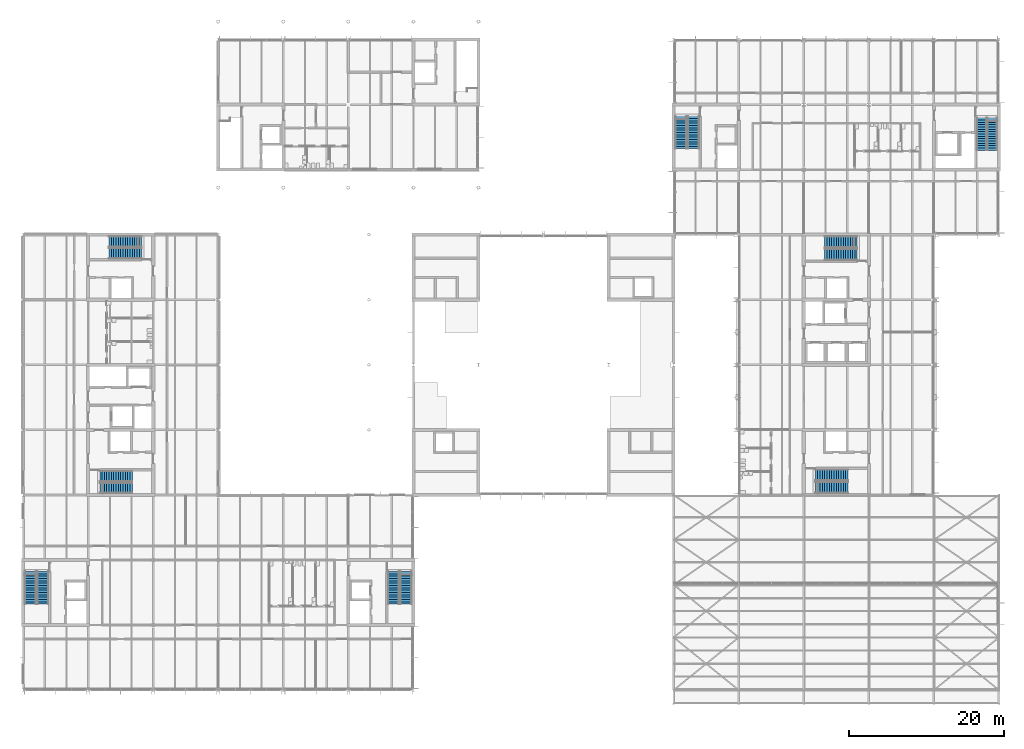
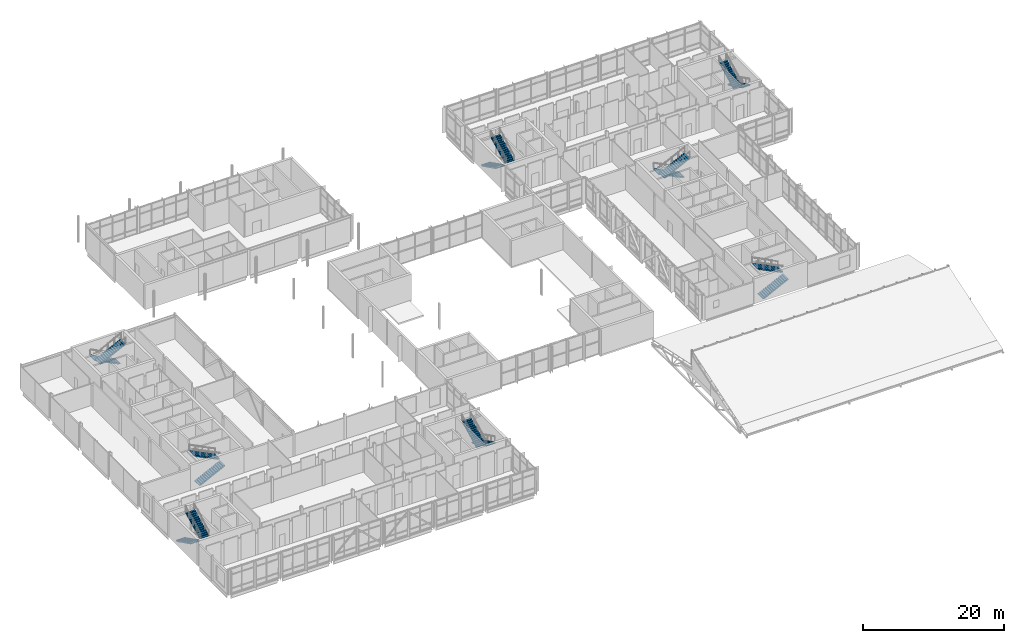
# One storey, part 60 of 89: 16 stair flights, 8 elements without a shape of their own.
"""IFC4 building model written with IfcOpenShell, lengths in metres."""

from ifc_helpers import new_model, si_unit, direction, frame, origin, place, context, subcontext, project, spatial, polyline, outline, extrude, material, type_object, element, aggregate, save


model = new_model("IFC4")

# Units and contexts
model_context = context("Model", 3, precision=1e-05, world=origin(), true_north=direction((0.0, 1.0)))
body_context = subcontext(model_context, "Body", "Model", "MODEL_VIEW")
ifc_project = project(units=[si_unit("LENGTHUNIT", "METRE"), si_unit("AREAUNIT", "SQUARE_METRE"), si_unit("VOLUMEUNIT", "CUBIC_METRE"), si_unit("PLANEANGLEUNIT", "RADIAN"), si_unit("MASSUNIT", "GRAM", prefix="KILO")], contexts=[model_context])

# Site, building, storey
site_placement = place(None, origin())
site = spatial("IfcSite", under=ifc_project, at=site_placement, CompositionType="ELEMENT")
building_placement = place(site_placement, origin())
building = spatial("IfcBuilding", under=site, at=building_placement, Name="Hlaing Beacon Police Headquarters", CompositionType="ELEMENT")
storey_placement = place(building_placement, frame((0.0, 0.0, 9.89990234375)))
storey = spatial("IfcBuildingStorey", under=building, at=storey_placement, Name="L02", CompositionType="ELEMENT", Elevation=9.89990234375)

# Stair, stair flights
ifc_material_1 = material(Name="Concrete C40/50", Category="concrete")
stair_type_1 = type_object("IfcStairType", Name="Half-turn stair 1300 wide, 4500 rise", PredefinedType="HALF_TURN_STAIR", material=ifc_material_1)
stair_1_placement = place(storey_placement, origin())
stair_1 = element("IfcStair", 1, at=stair_1_placement, inside=storey, type_object=stair_type_1, Name="Stair ST-R", PredefinedType="HALF_TURN_STAIR")
ifc_material_2 = material(Name="Concrete C40/50", Category="concrete")
stair_flight_type_1 = type_object("IfcStairFlightType", Name="Stair flight 1300 wide, 15 risers", PredefinedType="STRAIGHT", material=ifc_material_2)
stair_flight_1_placement = place(storey_placement, frame((133.550048828125, 82.300048828125, 0.0), z_axis=(0.0, 0.0, 1.0), x_axis=(0.0, -1.0, 0.0)))
stair_flight_1 = element("IfcStairFlight", 2, at=stair_flight_1_placement, type_object=stair_flight_type_1, Name="ST-R flight 1", NumberOfRisers=15, NumberOfTreads=14, PredefinedType="STRAIGHT", RiserHeight=0.15, TreadLength=0.3, context=body_context, shape_type="SweptSolid", body=[
    extrude(outline(polyline([(0.0, 0.0), (0.0, 0.14990234375), (0.300048828125, 0.14990234375), (0.300048828125, 0.300048828125), (0.60009765625, 0.300048828125), (0.60009765625, 0.449951171875), (0.89990234375, 0.449951171875), (0.89990234375, 0.60009765625), (1.199951171875, 0.60009765625), (1.199951171875, 0.75), (1.5, 0.75), (1.5, 0.89990234375), (1.800048828125, 0.89990234375), (1.800048828125, 1.050048828125), (2.10009765625, 1.050048828125), (2.10009765625, 1.199951171875), (2.39990234375, 1.199951171875), (2.39990234375, 1.35009765625), (2.699951171875, 1.35009765625), (2.699951171875, 1.5), (3.0, 1.5), (3.0, 1.64990234375), (3.300048828125, 1.64990234375), (3.300048828125, 1.800048828125), (3.60009765625, 1.800048828125), (3.60009765625, 1.949951171875), (3.89990234375, 1.949951171875), (3.89990234375, 2.10009765625), (4.199951171875, 2.10009765625), (4.199951171875, 2.25), (4.199951171875, 1.932373046875), (0.335205078125, 0.0), (0.0, 0.0)])), frame((0.0, 0.64990234375, 0.0), z_axis=(0.0, -1.0, 0.0), x_axis=(1.0, 0.0, 0.0)), (0.0, 0.0, 1.0), 1.300048828125),
])
stair_flight_2_placement = place(storey_placement, frame((132.14990234375, 78.10009765625, 2.25), z_axis=(0.0, 0.0, 1.0), x_axis=(0.0, 1.0, 0.0)))
stair_flight_2 = element("IfcStairFlight", 3, at=stair_flight_2_placement, type_object=stair_flight_type_1, Name="ST-R flight 2", NumberOfRisers=15, NumberOfTreads=14, PredefinedType="STRAIGHT", RiserHeight=0.15, TreadLength=0.3, context=body_context, shape_type="SweptSolid", body=[
    extrude(outline(polyline([(0.0, 0.0), (0.0, 0.14990234375), (0.300048828125, 0.14990234375), (0.300048828125, 0.300048828125), (0.60009765625, 0.300048828125), (0.60009765625, 0.449951171875), (0.89990234375, 0.449951171875), (0.89990234375, 0.60009765625), (1.199951171875, 0.60009765625), (1.199951171875, 0.75), (1.5, 0.75), (1.5, 0.89990234375), (1.800048828125, 0.89990234375), (1.800048828125, 1.050048828125), (2.10009765625, 1.050048828125), (2.10009765625, 1.199951171875), (2.39990234375, 1.199951171875), (2.39990234375, 1.35009765625), (2.699951171875, 1.35009765625), (2.699951171875, 1.5), (3.0, 1.5), (3.0, 1.64990234375), (3.300048828125, 1.64990234375), (3.300048828125, 1.800048828125), (3.60009765625, 1.800048828125), (3.60009765625, 1.949951171875), (3.89990234375, 1.949951171875), (3.89990234375, 2.10009765625), (4.199951171875, 2.10009765625), (4.199951171875, 2.25), (4.199951171875, 1.932373046875), (0.335205078125, 0.0), (0.0, 0.0)])), frame((0.0, 0.64990234375, 0.0), z_axis=(0.0, -1.0, 0.0), x_axis=(1.0, 0.0, 0.0)), (0.0, 0.0, 1.0), 1.300048828125),
])
aggregate(stair_1, [stair_flight_1, stair_flight_2])

ifc_material_3 = material(Name="Concrete C40/50", Category="concrete")
stair_type_2 = type_object("IfcStairType", Name="Half-turn stair 1400 wide, 4500 rise", PredefinedType="HALF_TURN_STAIR", material=ifc_material_3)
stair_2_placement = place(storey_placement, origin())
stair_2 = element("IfcStair", 4, at=stair_2_placement, inside=storey, type_object=stair_type_2, Name="Stair ST-P", PredefinedType="HALF_TURN_STAIR")
ifc_material_4 = material(Name="Concrete C40/50", Category="concrete")
stair_flight_type_2 = type_object("IfcStairFlightType", Name="Stair flight 1400 wide, 15 risers", PredefinedType="STRAIGHT", material=ifc_material_4)
stair_flight_3_placement = place(storey_placement, frame((23.699951171875, 66.300048828125, 0.0), z_axis=(0.0, 0.0, 1.0), x_axis=(-1.0, 0.0, 0.0)))
stair_flight_3 = element("IfcStairFlight", 5, at=stair_flight_3_placement, type_object=stair_flight_type_2, Name="ST-P flight 1", NumberOfRisers=15, NumberOfTreads=14, PredefinedType="STRAIGHT", RiserHeight=0.15, TreadLength=0.3, context=body_context, shape_type="SweptSolid", body=[
    extrude(outline(polyline([(0.0, 0.0), (0.0, 0.14990234375), (0.300048828125, 0.14990234375), (0.300048828125, 0.300048828125), (0.60009765625, 0.300048828125), (0.60009765625, 0.449951171875), (0.89990234375, 0.449951171875), (0.89990234375, 0.60009765625), (1.199951171875, 0.60009765625), (1.199951171875, 0.75), (1.5, 0.75), (1.5, 0.89990234375), (1.800048828125, 0.89990234375), (1.800048828125, 1.050048828125), (2.10009765625, 1.050048828125), (2.10009765625, 1.199951171875), (2.39990234375, 1.199951171875), (2.39990234375, 1.35009765625), (2.699951171875, 1.35009765625), (2.699951171875, 1.5), (3.0, 1.5), (3.0, 1.64990234375), (3.300048828125, 1.64990234375), (3.300048828125, 1.800048828125), (3.60009765625, 1.800048828125), (3.60009765625, 1.949951171875), (3.89990234375, 1.949951171875), (3.89990234375, 2.10009765625), (4.199951171875, 2.10009765625), (4.199951171875, 2.25), (4.199951171875, 1.932373046875), (0.335205078125, 0.0), (0.0, 0.0)])), frame((0.0, 0.699951171875, 0.0), z_axis=(0.0, -1.0, 0.0), x_axis=(1.0, 0.0, 0.0)), (0.0, 0.0, 1.0), 1.39990234375),
])
stair_flight_4_placement = place(storey_placement, frame((19.5, 64.800048828125, 2.25), z_axis=(0.0, 0.0, 1.0), x_axis=(1.0, 0.0, 0.0)))
stair_flight_4 = element("IfcStairFlight", 6, at=stair_flight_4_placement, type_object=stair_flight_type_2, Name="ST-P flight 2", NumberOfRisers=15, NumberOfTreads=14, PredefinedType="STRAIGHT", RiserHeight=0.15, TreadLength=0.3, context=body_context, shape_type="SweptSolid", body=[
    extrude(outline(polyline([(0.0, 0.0), (0.0, 0.14990234375), (0.300048828125, 0.14990234375), (0.300048828125, 0.300048828125), (0.60009765625, 0.300048828125), (0.60009765625, 0.449951171875), (0.89990234375, 0.449951171875), (0.89990234375, 0.60009765625), (1.199951171875, 0.60009765625), (1.199951171875, 0.75), (1.5, 0.75), (1.5, 0.89990234375), (1.800048828125, 0.89990234375), (1.800048828125, 1.050048828125), (2.10009765625, 1.050048828125), (2.10009765625, 1.199951171875), (2.39990234375, 1.199951171875), (2.39990234375, 1.35009765625), (2.699951171875, 1.35009765625), (2.699951171875, 1.5), (3.0, 1.5), (3.0, 1.64990234375), (3.300048828125, 1.64990234375), (3.300048828125, 1.800048828125), (3.60009765625, 1.800048828125), (3.60009765625, 1.949951171875), (3.89990234375, 1.949951171875), (3.89990234375, 2.10009765625), (4.199951171875, 2.10009765625), (4.199951171875, 2.25), (4.199951171875, 1.932373046875), (0.335205078125, 0.0), (0.0, 0.0)])), frame((0.0, 0.699951171875, 0.0), z_axis=(0.0, -1.0, 0.0), x_axis=(1.0, 0.0, 0.0)), (0.0, 0.0, 1.0), 1.39990234375),
])
aggregate(stair_2, [stair_flight_3, stair_flight_4])

stair_3_placement = place(storey_placement, origin())
stair_3 = element("IfcStair", 7, at=stair_3_placement, inside=storey, type_object=stair_type_2, Name="Stair ST-N", PredefinedType="HALF_TURN_STAIR")
stair_flight_5_placement = place(storey_placement, frame((18.300048828125, 34.5, 0.0), z_axis=(0.0, 0.0, 1.0), x_axis=(1.0, 0.0, 0.0)))
stair_flight_5 = element("IfcStairFlight", 8, at=stair_flight_5_placement, type_object=stair_flight_type_2, Name="ST-N flight 1", NumberOfRisers=15, NumberOfTreads=14, PredefinedType="STRAIGHT", RiserHeight=0.15, TreadLength=0.3, context=body_context, shape_type="SweptSolid", body=[
    extrude(outline(polyline([(0.0, 0.0), (0.0, 0.14990234375), (0.300048828125, 0.14990234375), (0.300048828125, 0.300048828125), (0.60009765625, 0.300048828125), (0.60009765625, 0.449951171875), (0.89990234375, 0.449951171875), (0.89990234375, 0.60009765625), (1.199951171875, 0.60009765625), (1.199951171875, 0.75), (1.5, 0.75), (1.5, 0.89990234375), (1.800048828125, 0.89990234375), (1.800048828125, 1.050048828125), (2.10009765625, 1.050048828125), (2.10009765625, 1.199951171875), (2.39990234375, 1.199951171875), (2.39990234375, 1.35009765625), (2.699951171875, 1.35009765625), (2.699951171875, 1.5), (3.0, 1.5), (3.0, 1.64990234375), (3.300048828125, 1.64990234375), (3.300048828125, 1.800048828125), (3.60009765625, 1.800048828125), (3.60009765625, 1.949951171875), (3.89990234375, 1.949951171875), (3.89990234375, 2.10009765625), (4.199951171875, 2.10009765625), (4.199951171875, 2.25), (4.199951171875, 1.932373046875), (0.335205078125, 0.0), (0.0, 0.0)])), frame((0.0, 0.699951171875, 0.0), z_axis=(0.0, -1.0, 0.0), x_axis=(1.0, 0.0, 0.0)), (0.0, 0.0, 1.0), 1.39990234375),
])
stair_flight_6_placement = place(storey_placement, frame((22.5, 36.0, 2.25), z_axis=(0.0, 0.0, 1.0), x_axis=(-1.0, 0.0, 0.0)))
stair_flight_6 = element("IfcStairFlight", 9, at=stair_flight_6_placement, type_object=stair_flight_type_2, Name="ST-N flight 2", NumberOfRisers=15, NumberOfTreads=14, PredefinedType="STRAIGHT", RiserHeight=0.15, TreadLength=0.3, context=body_context, shape_type="SweptSolid", body=[
    extrude(outline(polyline([(0.0, 0.0), (0.0, 0.14990234375), (0.300048828125, 0.14990234375), (0.300048828125, 0.300048828125), (0.60009765625, 0.300048828125), (0.60009765625, 0.449951171875), (0.89990234375, 0.449951171875), (0.89990234375, 0.60009765625), (1.199951171875, 0.60009765625), (1.199951171875, 0.75), (1.5, 0.75), (1.5, 0.89990234375), (1.800048828125, 0.89990234375), (1.800048828125, 1.050048828125), (2.10009765625, 1.050048828125), (2.10009765625, 1.199951171875), (2.39990234375, 1.199951171875), (2.39990234375, 1.35009765625), (2.699951171875, 1.35009765625), (2.699951171875, 1.5), (3.0, 1.5), (3.0, 1.64990234375), (3.300048828125, 1.64990234375), (3.300048828125, 1.800048828125), (3.60009765625, 1.800048828125), (3.60009765625, 1.949951171875), (3.89990234375, 1.949951171875), (3.89990234375, 2.10009765625), (4.199951171875, 2.10009765625), (4.199951171875, 2.25), (4.199951171875, 1.932373046875), (0.335205078125, 0.0), (0.0, 0.0)])), frame((0.0, 0.699951171875, 0.0), z_axis=(0.0, -1.0, 0.0), x_axis=(1.0, 0.0, 0.0)), (0.0, 0.0, 1.0), 1.39990234375),
])
aggregate(stair_3, [stair_flight_5, stair_flight_6])

ifc_material_5 = material(Name="Concrete C40/50", Category="concrete")
stair_type_3 = type_object("IfcStairType", Name="Half-turn stair 1500 wide, 4500 rise", PredefinedType="HALF_TURN_STAIR", material=ifc_material_5)
stair_4_placement = place(storey_placement, origin())
stair_4 = element("IfcStair", 10, at=stair_4_placement, inside=storey, type_object=stair_type_3, Name="Stair ST-J", PredefinedType="HALF_TURN_STAIR")
ifc_material_6 = material(Name="Concrete C40/50", Category="concrete")
stair_flight_type_3 = type_object("IfcStairFlightType", Name="Stair flight 1500 wide, 15 risers", PredefinedType="STRAIGHT", material=ifc_material_6)
stair_flight_7_placement = place(storey_placement, frame((9.35009765625, 23.699951171875, 0.0), z_axis=(0.0, 0.0, 1.0), x_axis=(0.0, -1.0, 0.0)))
stair_flight_7 = element("IfcStairFlight", 11, at=stair_flight_7_placement, type_object=stair_flight_type_3, Name="ST-J flight 1", NumberOfRisers=15, NumberOfTreads=14, PredefinedType="STRAIGHT", RiserHeight=0.15, TreadLength=0.3, context=body_context, shape_type="SweptSolid", body=[
    extrude(outline(polyline([(0.0, 0.0), (0.0, 0.14990234375), (0.300048828125, 0.14990234375), (0.300048828125, 0.300048828125), (0.60009765625, 0.300048828125), (0.60009765625, 0.449951171875), (0.89990234375, 0.449951171875), (0.89990234375, 0.60009765625), (1.199951171875, 0.60009765625), (1.199951171875, 0.75), (1.5, 0.75), (1.5, 0.89990234375), (1.800048828125, 0.89990234375), (1.800048828125, 1.050048828125), (2.10009765625, 1.050048828125), (2.10009765625, 1.199951171875), (2.39990234375, 1.199951171875), (2.39990234375, 1.35009765625), (2.699951171875, 1.35009765625), (2.699951171875, 1.5), (3.0, 1.5), (3.0, 1.64990234375), (3.300048828125, 1.64990234375), (3.300048828125, 1.800048828125), (3.60009765625, 1.800048828125), (3.60009765625, 1.949951171875), (3.89990234375, 1.949951171875), (3.89990234375, 2.10009765625), (4.199951171875, 2.10009765625), (4.199951171875, 2.25), (4.199951171875, 1.932373046875), (0.335205078125, 0.0), (0.0, 0.0)])), frame((0.0, 0.75, 0.0), z_axis=(0.0, -1.0, 0.0), x_axis=(1.0, 0.0, 0.0)), (0.0, 0.0, 1.0), 1.5),
])
stair_flight_8_placement = place(storey_placement, frame((10.949951171875, 19.5, 2.25), z_axis=(0.0, 0.0, 1.0), x_axis=(0.0, 1.0, 0.0)))
stair_flight_8 = element("IfcStairFlight", 12, at=stair_flight_8_placement, type_object=stair_flight_type_3, Name="ST-J flight 2", NumberOfRisers=15, NumberOfTreads=14, PredefinedType="STRAIGHT", RiserHeight=0.15, TreadLength=0.3, context=body_context, shape_type="SweptSolid", body=[
    extrude(outline(polyline([(0.0, 0.0), (0.0, 0.14990234375), (0.300048828125, 0.14990234375), (0.300048828125, 0.300048828125), (0.60009765625, 0.300048828125), (0.60009765625, 0.449951171875), (0.89990234375, 0.449951171875), (0.89990234375, 0.60009765625), (1.199951171875, 0.60009765625), (1.199951171875, 0.75), (1.5, 0.75), (1.5, 0.89990234375), (1.800048828125, 0.89990234375), (1.800048828125, 1.050048828125), (2.10009765625, 1.050048828125), (2.10009765625, 1.199951171875), (2.39990234375, 1.199951171875), (2.39990234375, 1.35009765625), (2.699951171875, 1.35009765625), (2.699951171875, 1.5), (3.0, 1.5), (3.0, 1.64990234375), (3.300048828125, 1.64990234375), (3.300048828125, 1.800048828125), (3.60009765625, 1.800048828125), (3.60009765625, 1.949951171875), (3.89990234375, 1.949951171875), (3.89990234375, 2.10009765625), (4.199951171875, 2.10009765625), (4.199951171875, 2.25), (4.199951171875, 1.932373046875), (0.335205078125, 0.0), (0.0, 0.0)])), frame((0.0, 0.75, 0.0), z_axis=(0.0, -1.0, 0.0), x_axis=(1.0, 0.0, 0.0)), (0.0, 0.0, 1.0), 1.5),
])
aggregate(stair_4, [stair_flight_7, stair_flight_8])

stair_5_placement = place(storey_placement, origin())
stair_5 = element("IfcStair", 13, at=stair_5_placement, inside=storey, type_object=stair_type_3, Name="Stair ST-K", PredefinedType="HALF_TURN_STAIR")
stair_flight_9_placement = place(storey_placement, frame((57.85009765625, 23.699951171875, 0.0), z_axis=(0.0, 0.0, 1.0), x_axis=(0.0, -1.0, 0.0)))
stair_flight_9 = element("IfcStairFlight", 14, at=stair_flight_9_placement, type_object=stair_flight_type_3, Name="ST-K flight 1", NumberOfRisers=15, NumberOfTreads=14, PredefinedType="STRAIGHT", RiserHeight=0.15, TreadLength=0.3, context=body_context, shape_type="SweptSolid", body=[
    extrude(outline(polyline([(0.0, 0.0), (0.0, 0.14990234375), (0.300048828125, 0.14990234375), (0.300048828125, 0.300048828125), (0.60009765625, 0.300048828125), (0.60009765625, 0.449951171875), (0.89990234375, 0.449951171875), (0.89990234375, 0.60009765625), (1.199951171875, 0.60009765625), (1.199951171875, 0.75), (1.5, 0.75), (1.5, 0.89990234375), (1.800048828125, 0.89990234375), (1.800048828125, 1.050048828125), (2.10009765625, 1.050048828125), (2.10009765625, 1.199951171875), (2.39990234375, 1.199951171875), (2.39990234375, 1.35009765625), (2.699951171875, 1.35009765625), (2.699951171875, 1.5), (3.0, 1.5), (3.0, 1.64990234375), (3.300048828125, 1.64990234375), (3.300048828125, 1.800048828125), (3.60009765625, 1.800048828125), (3.60009765625, 1.949951171875), (3.89990234375, 1.949951171875), (3.89990234375, 2.10009765625), (4.199951171875, 2.10009765625), (4.199951171875, 2.25), (4.199951171875, 1.932373046875), (0.335205078125, 0.0), (0.0, 0.0)])), frame((0.0, 0.75, 0.0), z_axis=(0.0, -1.0, 0.0), x_axis=(1.0, 0.0, 0.0)), (0.0, 0.0, 1.0), 1.5),
])
stair_flight_10_placement = place(storey_placement, frame((56.25, 19.5, 2.25), z_axis=(0.0, 0.0, 1.0), x_axis=(0.0, 1.0, 0.0)))
stair_flight_10 = element("IfcStairFlight", 15, at=stair_flight_10_placement, type_object=stair_flight_type_3, Name="ST-K flight 2", NumberOfRisers=15, NumberOfTreads=14, PredefinedType="STRAIGHT", RiserHeight=0.15, TreadLength=0.3, context=body_context, shape_type="SweptSolid", body=[
    extrude(outline(polyline([(0.0, 0.0), (0.0, 0.14990234375), (0.300048828125, 0.14990234375), (0.300048828125, 0.300048828125), (0.60009765625, 0.300048828125), (0.60009765625, 0.449951171875), (0.89990234375, 0.449951171875), (0.89990234375, 0.60009765625), (1.199951171875, 0.60009765625), (1.199951171875, 0.75), (1.5, 0.75), (1.5, 0.89990234375), (1.800048828125, 0.89990234375), (1.800048828125, 1.050048828125), (2.10009765625, 1.050048828125), (2.10009765625, 1.199951171875), (2.39990234375, 1.199951171875), (2.39990234375, 1.35009765625), (2.699951171875, 1.35009765625), (2.699951171875, 1.5), (3.0, 1.5), (3.0, 1.64990234375), (3.300048828125, 1.64990234375), (3.300048828125, 1.800048828125), (3.60009765625, 1.800048828125), (3.60009765625, 1.949951171875), (3.89990234375, 1.949951171875), (3.89990234375, 2.10009765625), (4.199951171875, 2.10009765625), (4.199951171875, 2.25), (4.199951171875, 1.932373046875), (0.335205078125, 0.0), (0.0, 0.0)])), frame((0.0, 0.75, 0.0), z_axis=(0.0, -1.0, 0.0), x_axis=(1.0, 0.0, 0.0)), (0.0, 0.0, 1.0), 1.5),
])
aggregate(stair_5, [stair_flight_9, stair_flight_10])

stair_6_placement = place(storey_placement, origin())
stair_6 = element("IfcStair", 16, at=stair_6_placement, inside=storey, type_object=stair_type_3, Name="Stair ST-M", PredefinedType="HALF_TURN_STAIR")
stair_flight_11_placement = place(storey_placement, frame((116.10009765625, 66.25, 0.0), z_axis=(0.0, 0.0, 1.0), x_axis=(-1.0, 0.0, 0.0)))
stair_flight_11 = element("IfcStairFlight", 17, at=stair_flight_11_placement, type_object=stair_flight_type_3, Name="ST-M flight 1", NumberOfRisers=15, NumberOfTreads=14, PredefinedType="STRAIGHT", RiserHeight=0.15, TreadLength=0.3, context=body_context, shape_type="SweptSolid", body=[
    extrude(outline(polyline([(0.0, 0.0), (0.0, 0.14990234375), (0.300048828125, 0.14990234375), (0.300048828125, 0.300048828125), (0.60009765625, 0.300048828125), (0.60009765625, 0.449951171875), (0.89990234375, 0.449951171875), (0.89990234375, 0.60009765625), (1.199951171875, 0.60009765625), (1.199951171875, 0.75), (1.5, 0.75), (1.5, 0.89990234375), (1.800048828125, 0.89990234375), (1.800048828125, 1.050048828125), (2.10009765625, 1.050048828125), (2.10009765625, 1.199951171875), (2.39990234375, 1.199951171875), (2.39990234375, 1.35009765625), (2.699951171875, 1.35009765625), (2.699951171875, 1.5), (3.0, 1.5), (3.0, 1.64990234375), (3.300048828125, 1.64990234375), (3.300048828125, 1.800048828125), (3.60009765625, 1.800048828125), (3.60009765625, 1.949951171875), (3.89990234375, 1.949951171875), (3.89990234375, 2.10009765625), (4.199951171875, 2.10009765625), (4.199951171875, 2.25), (4.199951171875, 1.932373046875), (0.335205078125, 0.0), (0.0, 0.0)])), frame((0.0, 0.75, 0.0), z_axis=(0.0, -1.0, 0.0), x_axis=(1.0, 0.0, 0.0)), (0.0, 0.0, 1.0), 1.5),
])
stair_flight_12_placement = place(storey_placement, frame((111.89990234375, 64.64990234375, 2.25), z_axis=(0.0, 0.0, 1.0), x_axis=(1.0, 0.0, 0.0)))
stair_flight_12 = element("IfcStairFlight", 18, at=stair_flight_12_placement, type_object=stair_flight_type_3, Name="ST-M flight 2", NumberOfRisers=15, NumberOfTreads=14, PredefinedType="STRAIGHT", RiserHeight=0.15, TreadLength=0.3, context=body_context, shape_type="SweptSolid", body=[
    extrude(outline(polyline([(0.0, 0.0), (0.0, 0.14990234375), (0.300048828125, 0.14990234375), (0.300048828125, 0.300048828125), (0.60009765625, 0.300048828125), (0.60009765625, 0.449951171875), (0.89990234375, 0.449951171875), (0.89990234375, 0.60009765625), (1.199951171875, 0.60009765625), (1.199951171875, 0.75), (1.5, 0.75), (1.5, 0.89990234375), (1.800048828125, 0.89990234375), (1.800048828125, 1.050048828125), (2.10009765625, 1.050048828125), (2.10009765625, 1.199951171875), (2.39990234375, 1.199951171875), (2.39990234375, 1.35009765625), (2.699951171875, 1.35009765625), (2.699951171875, 1.5), (3.0, 1.5), (3.0, 1.64990234375), (3.300048828125, 1.64990234375), (3.300048828125, 1.800048828125), (3.60009765625, 1.800048828125), (3.60009765625, 1.949951171875), (3.89990234375, 1.949951171875), (3.89990234375, 2.10009765625), (4.199951171875, 2.10009765625), (4.199951171875, 2.25), (4.199951171875, 1.932373046875), (0.335205078125, 0.0), (0.0, 0.0)])), frame((0.0, 0.75, 0.0), z_axis=(0.0, -1.0, 0.0), x_axis=(1.0, 0.0, 0.0)), (0.0, 0.0, 1.0), 1.5),
])
aggregate(stair_6, [stair_flight_11, stair_flight_12])

stair_7_placement = place(storey_placement, origin())
stair_7 = element("IfcStair", 19, at=stair_7_placement, inside=storey, type_object=stair_type_3, Name="Stair ST-L", PredefinedType="HALF_TURN_STAIR")
stair_flight_13_placement = place(storey_placement, frame((110.699951171875, 34.550048828125, 0.0), z_axis=(0.0, 0.0, 1.0), x_axis=(1.0, 0.0, 0.0)))
stair_flight_13 = element("IfcStairFlight", 20, at=stair_flight_13_placement, type_object=stair_flight_type_3, Name="ST-L flight 1", NumberOfRisers=15, NumberOfTreads=14, PredefinedType="STRAIGHT", RiserHeight=0.15, TreadLength=0.3, context=body_context, shape_type="SweptSolid", body=[
    extrude(outline(polyline([(0.0, 0.0), (0.0, 0.14990234375), (0.300048828125, 0.14990234375), (0.300048828125, 0.300048828125), (0.60009765625, 0.300048828125), (0.60009765625, 0.449951171875), (0.89990234375, 0.449951171875), (0.89990234375, 0.60009765625), (1.199951171875, 0.60009765625), (1.199951171875, 0.75), (1.5, 0.75), (1.5, 0.89990234375), (1.800048828125, 0.89990234375), (1.800048828125, 1.050048828125), (2.10009765625, 1.050048828125), (2.10009765625, 1.199951171875), (2.39990234375, 1.199951171875), (2.39990234375, 1.35009765625), (2.699951171875, 1.35009765625), (2.699951171875, 1.5), (3.0, 1.5), (3.0, 1.64990234375), (3.300048828125, 1.64990234375), (3.300048828125, 1.800048828125), (3.60009765625, 1.800048828125), (3.60009765625, 1.949951171875), (3.89990234375, 1.949951171875), (3.89990234375, 2.10009765625), (4.199951171875, 2.10009765625), (4.199951171875, 2.25), (4.199951171875, 1.932373046875), (0.335205078125, 0.0), (0.0, 0.0)])), frame((0.0, 0.75, 0.0), z_axis=(0.0, -1.0, 0.0), x_axis=(1.0, 0.0, 0.0)), (0.0, 0.0, 1.0), 1.5),
])
stair_flight_14_placement = place(storey_placement, frame((114.89990234375, 36.14990234375, 2.25), z_axis=(0.0, 0.0, 1.0), x_axis=(-1.0, 0.0, 0.0)))
stair_flight_14 = element("IfcStairFlight", 21, at=stair_flight_14_placement, type_object=stair_flight_type_3, Name="ST-L flight 2", NumberOfRisers=15, NumberOfTreads=14, PredefinedType="STRAIGHT", RiserHeight=0.15, TreadLength=0.3, context=body_context, shape_type="SweptSolid", body=[
    extrude(outline(polyline([(0.0, 0.0), (0.0, 0.14990234375), (0.300048828125, 0.14990234375), (0.300048828125, 0.300048828125), (0.60009765625, 0.300048828125), (0.60009765625, 0.449951171875), (0.89990234375, 0.449951171875), (0.89990234375, 0.60009765625), (1.199951171875, 0.60009765625), (1.199951171875, 0.75), (1.5, 0.75), (1.5, 0.89990234375), (1.800048828125, 0.89990234375), (1.800048828125, 1.050048828125), (2.10009765625, 1.050048828125), (2.10009765625, 1.199951171875), (2.39990234375, 1.199951171875), (2.39990234375, 1.35009765625), (2.699951171875, 1.35009765625), (2.699951171875, 1.5), (3.0, 1.5), (3.0, 1.64990234375), (3.300048828125, 1.64990234375), (3.300048828125, 1.800048828125), (3.60009765625, 1.800048828125), (3.60009765625, 1.949951171875), (3.89990234375, 1.949951171875), (3.89990234375, 2.10009765625), (4.199951171875, 2.10009765625), (4.199951171875, 2.25), (4.199951171875, 1.932373046875), (0.335205078125, 0.0), (0.0, 0.0)])), frame((0.0, 0.75, 0.0), z_axis=(0.0, -1.0, 0.0), x_axis=(1.0, 0.0, 0.0)), (0.0, 0.0, 1.0), 1.5),
])
aggregate(stair_7, [stair_flight_13, stair_flight_14])

stair_8_placement = place(storey_placement, origin())
stair_8 = element("IfcStair", 22, at=stair_8_placement, inside=storey, type_object=stair_type_3, Name="Stair ST-Q", PredefinedType="HALF_TURN_STAIR")
stair_flight_15_placement = place(storey_placement, frame((93.35009765625, 82.5, 0.0), z_axis=(0.0, 0.0, 1.0), x_axis=(0.0, -1.0, 0.0)))
stair_flight_15 = element("IfcStairFlight", 23, at=stair_flight_15_placement, type_object=stair_flight_type_3, Name="ST-Q flight 1", NumberOfRisers=15, NumberOfTreads=14, PredefinedType="STRAIGHT", RiserHeight=0.15, TreadLength=0.3, context=body_context, shape_type="SweptSolid", body=[
    extrude(outline(polyline([(0.0, 0.0), (0.0, 0.14990234375), (0.300048828125, 0.14990234375), (0.300048828125, 0.300048828125), (0.60009765625, 0.300048828125), (0.60009765625, 0.449951171875), (0.89990234375, 0.449951171875), (0.89990234375, 0.60009765625), (1.199951171875, 0.60009765625), (1.199951171875, 0.75), (1.5, 0.75), (1.5, 0.89990234375), (1.800048828125, 0.89990234375), (1.800048828125, 1.050048828125), (2.10009765625, 1.050048828125), (2.10009765625, 1.199951171875), (2.39990234375, 1.199951171875), (2.39990234375, 1.35009765625), (2.699951171875, 1.35009765625), (2.699951171875, 1.5), (3.0, 1.5), (3.0, 1.64990234375), (3.300048828125, 1.64990234375), (3.300048828125, 1.800048828125), (3.60009765625, 1.800048828125), (3.60009765625, 1.949951171875), (3.89990234375, 1.949951171875), (3.89990234375, 2.10009765625), (4.199951171875, 2.10009765625), (4.199951171875, 2.25), (4.199951171875, 1.932373046875), (0.335205078125, 0.0), (0.0, 0.0)])), frame((0.0, 0.75, 0.0), z_axis=(0.0, -1.0, 0.0), x_axis=(1.0, 0.0, 0.0)), (0.0, 0.0, 1.0), 1.5),
])
stair_flight_16_placement = place(storey_placement, frame((94.949951171875, 78.300048828125, 2.25), z_axis=(0.0, 0.0, 1.0), x_axis=(0.0, 1.0, 0.0)))
stair_flight_16 = element("IfcStairFlight", 24, at=stair_flight_16_placement, type_object=stair_flight_type_3, Name="ST-Q flight 2", NumberOfRisers=15, NumberOfTreads=14, PredefinedType="STRAIGHT", RiserHeight=0.15, TreadLength=0.3, context=body_context, shape_type="SweptSolid", body=[
    extrude(outline(polyline([(0.0, 0.0), (0.0, 0.14990234375), (0.300048828125, 0.14990234375), (0.300048828125, 0.300048828125), (0.60009765625, 0.300048828125), (0.60009765625, 0.449951171875), (0.89990234375, 0.449951171875), (0.89990234375, 0.60009765625), (1.199951171875, 0.60009765625), (1.199951171875, 0.75), (1.5, 0.75), (1.5, 0.89990234375), (1.800048828125, 0.89990234375), (1.800048828125, 1.050048828125), (2.10009765625, 1.050048828125), (2.10009765625, 1.199951171875), (2.39990234375, 1.199951171875), (2.39990234375, 1.35009765625), (2.699951171875, 1.35009765625), (2.699951171875, 1.5), (3.0, 1.5), (3.0, 1.64990234375), (3.300048828125, 1.64990234375), (3.300048828125, 1.800048828125), (3.60009765625, 1.800048828125), (3.60009765625, 1.949951171875), (3.89990234375, 1.949951171875), (3.89990234375, 2.10009765625), (4.199951171875, 2.10009765625), (4.199951171875, 2.25), (4.199951171875, 1.932373046875), (0.335205078125, 0.0), (0.0, 0.0)])), frame((0.0, 0.75, 0.0), z_axis=(0.0, -1.0, 0.0), x_axis=(1.0, 0.0, 0.0)), (0.0, 0.0, 1.0), 1.5),
])
aggregate(stair_8, [stair_flight_15, stair_flight_16])

save(model, "model.ifc")
